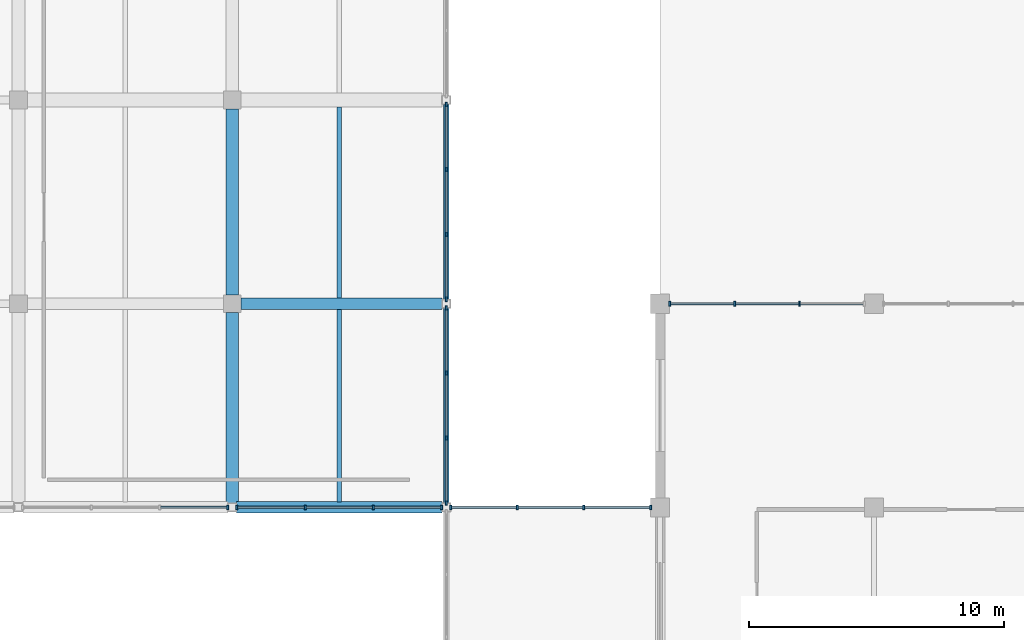
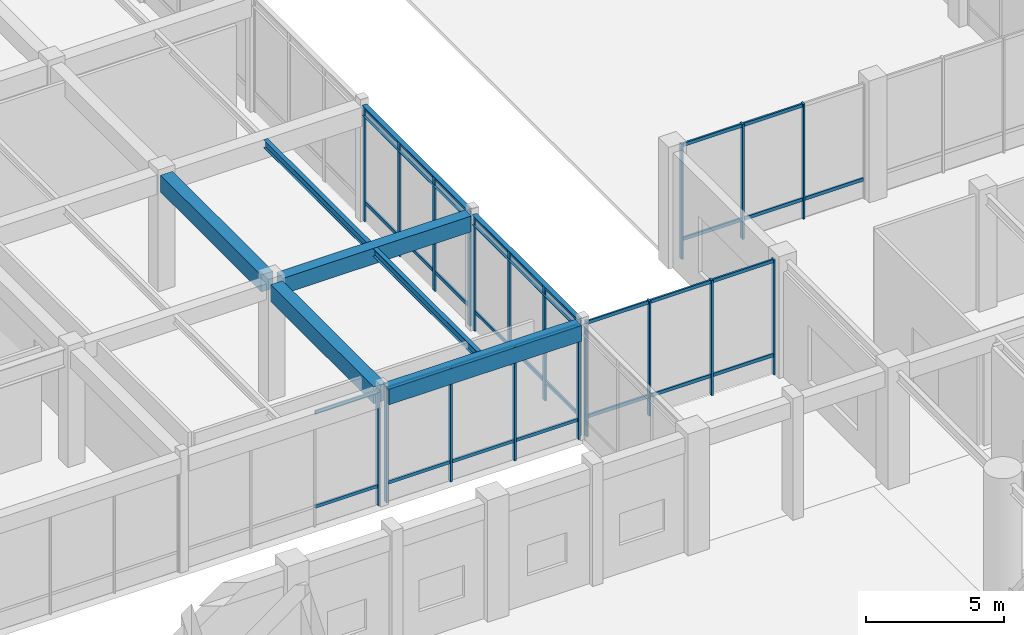
# One storey, part 33 of 79: 51 members, 8 beams, 6 elements without a shape of their own.
"""IFC4 building model written with IfcOpenShell, lengths in metres."""

from ifc_helpers import new_model, si_unit, direction, frame, origin, origin_2d, place, context, subcontext, project, spatial, rectangle, i_section, extrude, material, layer, layer_set, material_profile, profile_set, type_object, element, aggregate, save


model = new_model("IFC4")

# Units and contexts
model_context = context("Model", 3, precision=1e-05, world=origin(), true_north=direction((0.0, 1.0)))
body_context = subcontext(model_context, "Body", "Model", "MODEL_VIEW")
ifc_project = project(units=[si_unit("LENGTHUNIT", "METRE"), si_unit("AREAUNIT", "SQUARE_METRE"), si_unit("VOLUMEUNIT", "CUBIC_METRE"), si_unit("PLANEANGLEUNIT", "RADIAN"), si_unit("MASSUNIT", "GRAM", prefix="KILO")], contexts=[model_context])

# Site, building, storey
site_placement = place(None, origin())
site = spatial("IfcSite", under=ifc_project, at=site_placement, CompositionType="ELEMENT")
building_placement = place(site_placement, origin())
building = spatial("IfcBuilding", under=site, at=building_placement, Name="Naruveol Harbour Congress Hotel", CompositionType="ELEMENT")
storey_placement = place(building_placement, frame((0.0, 0.0, 6.0)))
storey = spatial("IfcBuildingStorey", under=building, at=storey_placement, Name="L01", CompositionType="ELEMENT", Elevation=6.0)

# Beams
ifc_material_1 = material(Name="Concrete C40/50", Category="concrete")
ifc_material_profile_1 = material_profile(ifc_material_1, rectangle(XDim=0.5, YDim=0.75, at=origin_2d()), Name="RCB-500x750")
ifc_profile_set_1 = profile_set([ifc_material_profile_1], Name="Concrete C40/50")
beam_type_1 = type_object("IfcBeamType", Name="RC FLOOR GIRDER 500X750", PredefinedType="BEAM", material=ifc_profile_set_1)
beam_1_placement = place(storey_placement, frame((33.60009765625, 64.1708984375, 4.764892578125), z_axis=(0.0, 1.0, 0.0), x_axis=(-1.0, 0.0, 0.0)))
element("IfcBeam", 1, at=beam_1_placement, inside=storey, type_object=beam_type_1, Name="Transverse girder L02 CB3", PredefinedType="BEAM", context=body_context, shape_type="SweptSolid", body=[
    extrude(rectangle(XDim=0.5, YDim=0.75, at=origin_2d()), origin(), (0.0, 0.0, 1.0), 7.483154296875),
])
beam_2_placement = place(storey_placement, frame((33.60009765625, 72.345947265625, 4.764892578125), z_axis=(0.0, 1.0, 0.0), x_axis=(-1.0, 0.0, 0.0)))
element("IfcBeam", 2, at=beam_2_placement, inside=storey, type_object=beam_type_1, Name="Transverse girder L02 CB3", PredefinedType="BEAM", context=body_context, shape_type="SweptSolid", body=[
    extrude(rectangle(XDim=0.5, YDim=0.75, at=origin_2d()), origin(), (0.0, 0.0, 1.0), 7.30810546875),
])
ifc_material_2 = material(Name="Concrete C40/50", Category="concrete")
ifc_material_profile_2 = material_profile(ifc_material_2, rectangle(XDim=0.449951171875, YDim=0.699951171875, at=origin_2d()), Name="RCB-450x700")
ifc_profile_set_2 = profile_set([ifc_material_profile_2], Name="Concrete C40/50")
beam_type_2 = type_object("IfcBeamType", Name="RC SPANDREL BEAM 450X700", PredefinedType="SPANDREL", material=ifc_profile_set_2)
beam_3_placement = place(storey_placement, frame((33.77099609375, 64.0, 4.7900390625), z_axis=(1.0, 0.0, 0.0), x_axis=(0.0, 1.0, 0.0)))
element("IfcBeam", 3, at=beam_3_placement, inside=storey, type_object=beam_type_2, Name="Floor girder L02 SPB1", PredefinedType="SPANDREL", context=body_context, shape_type="SweptSolid", body=[
    extrude(rectangle(XDim=0.449951171875, YDim=0.699951171875, at=origin_2d()), origin(), (0.0, 0.0, 1.0), 8.05810546875),
])
beam_4_placement = place(storey_placement, frame((33.946044921875, 72.0, 4.7900390625), z_axis=(1.0, 0.0, 0.0), x_axis=(0.0, 1.0, 0.0)))
element("IfcBeam", 4, at=beam_4_placement, inside=storey, type_object=beam_type_2, Name="Floor girder L02 SPB1", PredefinedType="SPANDREL", context=body_context, shape_type="SweptSolid", body=[
    extrude(rectangle(XDim=0.449951171875, YDim=0.699951171875, at=origin_2d()), origin(), (0.0, 0.0, 1.0), 7.883056640625),
])
ifc_material_3 = material(Name="Steel SN490", Category="steel")
ifc_material_profile_3 = material_profile(ifc_material_3, i_section(OverallWidth=0.175048828125, OverallDepth=0.35009765625, WebThickness=0.007080078125, FlangeThickness=0.010986328125, at=origin_2d()), Name="H-350x175x7x11")
ifc_profile_set_3 = profile_set([ifc_material_profile_3], Name="Steel SN490")
beam_type_3 = type_object("IfcBeamType", Name="STEEL SECONDARY JOIST H350", PredefinedType="JOIST", material=ifc_profile_set_3)
beam_5_placement = place(storey_placement, frame((37.800048828125, 64.220947265625, 4.965087890625), z_axis=(0.0, 1.0, 0.0), x_axis=(-1.0, 0.0, 0.0)))
element("IfcBeam", 5, at=beam_5_placement, inside=storey, type_object=beam_type_3, Name="Secondary floor joist L02 SJ2", PredefinedType="JOIST", context=body_context, shape_type="SweptSolid", body=[
    extrude(i_section(OverallWidth=0.175048828125, OverallDepth=0.35009765625, WebThickness=0.007080078125, FlangeThickness=0.010986328125, at=origin_2d()), origin(), (0.0, 0.0, 1.0), 7.55810546875),
])
beam_6_placement = place(storey_placement, frame((37.800048828125, 72.220947265625, 4.965087890625), z_axis=(0.0, 1.0, 0.0), x_axis=(-1.0, 0.0, 0.0)))
element("IfcBeam", 6, at=beam_6_placement, inside=storey, type_object=beam_type_3, Name="Secondary floor joist L02 SJ2", PredefinedType="JOIST", context=body_context, shape_type="SweptSolid", body=[
    extrude(i_section(OverallWidth=0.175048828125, OverallDepth=0.35009765625, WebThickness=0.007080078125, FlangeThickness=0.010986328125, at=origin_2d()), origin(), (0.0, 0.0, 1.0), 7.508056640625),
])
ifc_material_4 = material(Name="Steel SN490", Category="steel")
ifc_material_profile_4 = material_profile(ifc_material_4, i_section(OverallWidth=0.199951171875, OverallDepth=0.449951171875, WebThickness=0.009033203125, FlangeThickness=0.013916015625, at=origin_2d()), Name="H-450x200x9x14")
ifc_profile_set_4 = profile_set([ifc_material_profile_4], Name="Steel SN490")
beam_type_4 = type_object("IfcBeamType", Name="STEEL SPANDREL EDGE BEAM H450", PredefinedType="SPANDREL", material=ifc_profile_set_4)
for number, where, z_axis, x_axis, name in (
    (7, (42.0, 64.1708984375, 4.9150390625), (0.0, 1.0, 0.0), (-1.0, 0.0, 0.0), "Transverse girder L02 SPB2"),
    (8, (42.0, 72.1708984375, 4.9150390625), (0.0, 1.0, 0.0), (-1.0, 0.0, 0.0), "Transverse girder L02 SPB2"),
):
    element("IfcBeam", number, at=place(storey_placement, frame(where, z_axis=z_axis, x_axis=x_axis)), inside=storey, type_object=beam_type_4, Name=name, PredefinedType="SPANDREL", context=body_context, shape_type="SweptSolid", body=[
        extrude(i_section(OverallWidth=0.199951171875, OverallDepth=0.449951171875, WebThickness=0.009033203125, FlangeThickness=0.013916015625, at=origin_2d()), origin(), (0.0, 0.0, 1.0), 7.658203125),
    ])

# Curtain wall, members
ifc_material_5 = material(Name="Low-E Curtain Wall System", Category="glass")
ifc_layer_1 = layer(ifc_material_5, 0.179931640625)
ifc_layer_set_1 = layer_set([ifc_layer_1], Name="Low-E Curtain Wall System")
curtain_wall_type_1 = type_object("IfcCurtainWallType", Name="UNITISED CURTAIN WALL CW-SPLN-10 7850X5100", PredefinedType="USERDEFINED", material=ifc_layer_set_1)
curtain_wall_1_placement = place(storey_placement, origin())
curtain_wall_1 = element("IfcCurtainWall", 9, at=curtain_wall_1_placement, inside=storey, type_object=curtain_wall_type_1, Name="Unitised curtain wall CW-SPLN-10 L01", ObjectType="UNITISED GLAZING", PredefinedType="USERDEFINED")
ifc_material_6 = material(Name="Anodised Aluminium 6063-T6", Category="aluminium")
ifc_material_profile_5 = material_profile(ifc_material_6, rectangle(XDim=0.074951171875, YDim=0.179931640625, at=origin_2d()), Name="ALU-75x180")
ifc_profile_set_5 = profile_set([ifc_material_profile_5], Name="Anodised Aluminium 6063-T6")
member_type_1 = type_object("IfcMemberType", Name="THERMAL ALUMINIUM MULLION 75X180", PredefinedType="MULLION", material=ifc_profile_set_5)
member_1_placement = place(storey_placement, frame((42.175048828125, 64.0, 0.0), z_axis=(0.0, 0.0, 1.0), x_axis=(1.0, 0.0, 0.0)))
member_1 = element("IfcMember", 10, at=member_1_placement, type_object=member_type_1, Name="Curtain wall mullion CW-L01-0011-M0", PredefinedType="MULLION", context=body_context, shape_type="SweptSolid", body=[
    extrude(rectangle(XDim=0.074951171875, YDim=0.179931640625, at=origin_2d()), origin(), (0.0, 0.0, 1.0), 5.10009765625),
])
member_2_placement = place(storey_placement, frame((44.791748046875, 64.0, 0.0), z_axis=(0.0, 0.0, 1.0), x_axis=(1.0, 0.0, 0.0)))
member_2 = element("IfcMember", 11, at=member_2_placement, type_object=member_type_1, Name="Curtain wall mullion CW-L01-0011-M1", PredefinedType="MULLION", context=body_context, shape_type="SweptSolid", body=[
    extrude(rectangle(XDim=0.074951171875, YDim=0.179931640625, at=origin_2d()), origin(), (0.0, 0.0, 1.0), 5.10009765625),
])
member_3_placement = place(storey_placement, frame((47.408203125, 64.0, 0.0), z_axis=(0.0, 0.0, 1.0), x_axis=(1.0, 0.0, 0.0)))
member_3 = element("IfcMember", 12, at=member_3_placement, type_object=member_type_1, Name="Curtain wall mullion CW-L01-0011-M2", PredefinedType="MULLION", context=body_context, shape_type="SweptSolid", body=[
    extrude(rectangle(XDim=0.074951171875, YDim=0.179931640625, at=origin_2d()), origin(), (0.0, 0.0, 1.0), 5.10009765625),
])
member_4_placement = place(storey_placement, frame((50.02490234375, 64.0, 0.0), z_axis=(0.0, 0.0, 1.0), x_axis=(1.0, 0.0, 0.0)))
member_4 = element("IfcMember", 13, at=member_4_placement, type_object=member_type_1, Name="Curtain wall mullion CW-L01-0011-M3", PredefinedType="MULLION", context=body_context, shape_type="SweptSolid", body=[
    extrude(rectangle(XDim=0.074951171875, YDim=0.179931640625, at=origin_2d()), origin(), (0.0, 0.0, 1.0), 5.10009765625),
])

ifc_material_7 = material(Name="Low-E Curtain Wall System", Category="glass")
ifc_layer_2 = layer(ifc_material_7, 0.179931640625)
ifc_layer_set_2 = layer_set([ifc_layer_2], Name="Low-E Curtain Wall System")
curtain_wall_type_2 = type_object("IfcCurtainWallType", Name="UNITISED CURTAIN WALL CW-V3S-14 8050X5100", PredefinedType="USERDEFINED", material=ifc_layer_set_2)
curtain_wall_2_placement = place(storey_placement, origin())
curtain_wall_2 = element("IfcCurtainWall", 14, at=curtain_wall_2_placement, inside=storey, type_object=curtain_wall_type_2, Name="Unitised curtain wall CW-V3S-14 L01", ObjectType="UNITISED GLAZING", PredefinedType="USERDEFINED")
member_5_placement = place(storey_placement, frame((41.824951171875, 64.0, 0.0), z_axis=(0.0, 0.0, 1.0), x_axis=(1.0, 0.0, 0.0)))
member_5 = element("IfcMember", 15, at=member_5_placement, type_object=member_type_1, Name="Curtain wall mullion CW-L01-0022-M0", PredefinedType="MULLION", context=body_context, shape_type="SweptSolid", body=[
    extrude(rectangle(XDim=0.074951171875, YDim=0.179931640625, at=origin_2d()), origin(), (0.0, 0.0, 1.0), 5.10009765625),
])
member_6_placement = place(storey_placement, frame((39.1416015625, 64.0, 0.0), z_axis=(0.0, 0.0, 1.0), x_axis=(1.0, 0.0, 0.0)))
member_6 = element("IfcMember", 16, at=member_6_placement, type_object=member_type_1, Name="Curtain wall mullion CW-L01-0022-M1", PredefinedType="MULLION", context=body_context, shape_type="SweptSolid", body=[
    extrude(rectangle(XDim=0.074951171875, YDim=0.179931640625, at=origin_2d()), origin(), (0.0, 0.0, 1.0), 5.10009765625),
])
member_7_placement = place(storey_placement, frame((36.458251953125, 64.0, 0.0), z_axis=(0.0, 0.0, 1.0), x_axis=(1.0, 0.0, 0.0)))
member_7 = element("IfcMember", 17, at=member_7_placement, type_object=member_type_1, Name="Curtain wall mullion CW-L01-0022-M2", PredefinedType="MULLION", context=body_context, shape_type="SweptSolid", body=[
    extrude(rectangle(XDim=0.074951171875, YDim=0.179931640625, at=origin_2d()), origin(), (0.0, 0.0, 1.0), 5.10009765625),
])
member_8_placement = place(storey_placement, frame((33.77490234375, 64.0, 0.0), z_axis=(0.0, 0.0, 1.0), x_axis=(1.0, 0.0, 0.0)))
member_8 = element("IfcMember", 18, at=member_8_placement, type_object=member_type_1, Name="Curtain wall mullion CW-L01-0022-M3", PredefinedType="MULLION", context=body_context, shape_type="SweptSolid", body=[
    extrude(rectangle(XDim=0.074951171875, YDim=0.179931640625, at=origin_2d()), origin(), (0.0, 0.0, 1.0), 5.10009765625),
])

# Curtain wall, member
curtain_wall_3_placement = place(storey_placement, origin())
curtain_wall_3 = element("IfcCurtainWall", 19, at=curtain_wall_3_placement, inside=storey, type_object=curtain_wall_type_2, Name="Unitised curtain wall CW-V3S-14 L01", ObjectType="UNITISED GLAZING", PredefinedType="USERDEFINED")
member_9_placement = place(storey_placement, frame((33.425048828125, 64.0, 0.0), z_axis=(0.0, 0.0, 1.0), x_axis=(1.0, 0.0, 0.0)))
member_9 = element("IfcMember", 20, at=member_9_placement, type_object=member_type_1, Name="Curtain wall mullion CW-L01-0023-M0", PredefinedType="MULLION", context=body_context, shape_type="SweptSolid", body=[
    extrude(rectangle(XDim=0.074951171875, YDim=0.179931640625, at=origin_2d()), origin(), (0.0, 0.0, 1.0), 5.10009765625),
])

# Curtain wall, members
ifc_material_8 = material(Name="Low-E Curtain Wall System", Category="glass")
ifc_layer_3 = layer(ifc_material_8, 0.179931640625)
ifc_layer_set_3 = layer_set([ifc_layer_3], Name="Low-E Curtain Wall System")
curtain_wall_type_3 = type_object("IfcCurtainWallType", Name="UNITISED CURTAIN WALL CW-V3E-15 7650X5100", PredefinedType="USERDEFINED", material=ifc_layer_set_3)
curtain_wall_4_placement = place(storey_placement, origin())
curtain_wall_4 = element("IfcCurtainWall", 21, at=curtain_wall_4_placement, inside=storey, type_object=curtain_wall_type_3, Name="Unitised curtain wall CW-V3E-15 L01", ObjectType="UNITISED GLAZING", PredefinedType="USERDEFINED")
member_10_placement = place(storey_placement, frame((42.0, 71.824951171875, 0.0), z_axis=(0.0, 0.0, 1.0), x_axis=(1.0, 0.0, 0.0)))
member_10 = element("IfcMember", 22, at=member_10_placement, type_object=member_type_1, Name="Curtain wall mullion CW-L01-0027-M0", PredefinedType="MULLION", context=body_context, shape_type="SweptSolid", body=[
    extrude(rectangle(XDim=0.074951171875, YDim=0.179931640625, at=origin_2d()), origin(), (0.0, 0.0, 1.0), 5.10009765625),
])
member_11_placement = place(storey_placement, frame((42.0, 69.27490234375, 0.0), z_axis=(0.0, 0.0, 1.0), x_axis=(1.0, 0.0, 0.0)))
member_11 = element("IfcMember", 23, at=member_11_placement, type_object=member_type_1, Name="Curtain wall mullion CW-L01-0027-M1", PredefinedType="MULLION", context=body_context, shape_type="SweptSolid", body=[
    extrude(rectangle(XDim=0.074951171875, YDim=0.179931640625, at=origin_2d()), origin(), (0.0, 0.0, 1.0), 5.10009765625),
])
member_12_placement = place(storey_placement, frame((42.0, 66.72509765625, 0.0), z_axis=(0.0, 0.0, 1.0), x_axis=(1.0, 0.0, 0.0)))
member_12 = element("IfcMember", 24, at=member_12_placement, type_object=member_type_1, Name="Curtain wall mullion CW-L01-0027-M2", PredefinedType="MULLION", context=body_context, shape_type="SweptSolid", body=[
    extrude(rectangle(XDim=0.074951171875, YDim=0.179931640625, at=origin_2d()), origin(), (0.0, 0.0, 1.0), 5.10009765625),
])
member_13_placement = place(storey_placement, frame((42.0, 64.175048828125, 0.0), z_axis=(0.0, 0.0, 1.0), x_axis=(1.0, 0.0, 0.0)))
member_13 = element("IfcMember", 25, at=member_13_placement, type_object=member_type_1, Name="Curtain wall mullion CW-L01-0027-M3", PredefinedType="MULLION", context=body_context, shape_type="SweptSolid", body=[
    extrude(rectangle(XDim=0.074951171875, YDim=0.179931640625, at=origin_2d()), origin(), (0.0, 0.0, 1.0), 5.10009765625),
])

curtain_wall_5_placement = place(storey_placement, origin())
curtain_wall_5 = element("IfcCurtainWall", 26, at=curtain_wall_5_placement, inside=storey, type_object=curtain_wall_type_3, Name="Unitised curtain wall CW-V3E-15 L01", ObjectType="UNITISED GLAZING", PredefinedType="USERDEFINED")
member_14_placement = place(storey_placement, frame((42.0, 79.824951171875, 0.0), z_axis=(0.0, 0.0, 1.0), x_axis=(1.0, 0.0, 0.0)))
member_14 = element("IfcMember", 27, at=member_14_placement, type_object=member_type_1, Name="Curtain wall mullion CW-L01-0028-M0", PredefinedType="MULLION", context=body_context, shape_type="SweptSolid", body=[
    extrude(rectangle(XDim=0.074951171875, YDim=0.179931640625, at=origin_2d()), origin(), (0.0, 0.0, 1.0), 5.10009765625),
])
member_15_placement = place(storey_placement, frame((42.0, 77.27490234375, 0.0), z_axis=(0.0, 0.0, 1.0), x_axis=(1.0, 0.0, 0.0)))
member_15 = element("IfcMember", 28, at=member_15_placement, type_object=member_type_1, Name="Curtain wall mullion CW-L01-0028-M1", PredefinedType="MULLION", context=body_context, shape_type="SweptSolid", body=[
    extrude(rectangle(XDim=0.074951171875, YDim=0.179931640625, at=origin_2d()), origin(), (0.0, 0.0, 1.0), 5.10009765625),
])
member_16_placement = place(storey_placement, frame((42.0, 74.72509765625, 0.0), z_axis=(0.0, 0.0, 1.0), x_axis=(1.0, 0.0, 0.0)))
member_16 = element("IfcMember", 29, at=member_16_placement, type_object=member_type_1, Name="Curtain wall mullion CW-L01-0028-M2", PredefinedType="MULLION", context=body_context, shape_type="SweptSolid", body=[
    extrude(rectangle(XDim=0.074951171875, YDim=0.179931640625, at=origin_2d()), origin(), (0.0, 0.0, 1.0), 5.10009765625),
])
member_17_placement = place(storey_placement, frame((42.0, 72.175048828125, 0.0), z_axis=(0.0, 0.0, 1.0), x_axis=(1.0, 0.0, 0.0)))
member_17 = element("IfcMember", 30, at=member_17_placement, type_object=member_type_1, Name="Curtain wall mullion CW-L01-0028-M3", PredefinedType="MULLION", context=body_context, shape_type="SweptSolid", body=[
    extrude(rectangle(XDim=0.074951171875, YDim=0.179931640625, at=origin_2d()), origin(), (0.0, 0.0, 1.0), 5.10009765625),
])

ifc_material_9 = material(Name="Low-E Curtain Wall System", Category="glass")
ifc_layer_4 = layer(ifc_material_9, 0.179931640625)
ifc_layer_set_4 = layer_set([ifc_layer_4], Name="Low-E Curtain Wall System")
curtain_wall_type_4 = type_object("IfcCurtainWallType", Name="UNITISED CURTAIN WALL CW-V4NF-32 7650X5100", PredefinedType="USERDEFINED", material=ifc_layer_set_4)
curtain_wall_6_placement = place(storey_placement, origin())
curtain_wall_6 = element("IfcCurtainWall", 31, at=curtain_wall_6_placement, inside=storey, type_object=curtain_wall_type_4, Name="Unitised curtain wall CW-V4NF-32 L01", ObjectType="UNITISED GLAZING", PredefinedType="USERDEFINED")
member_18_placement = place(storey_placement, frame((50.77490234375, 72.0, 0.0), z_axis=(0.0, 0.0, 1.0), x_axis=(1.0, 0.0, 0.0)))
member_18 = element("IfcMember", 32, at=member_18_placement, type_object=member_type_1, Name="Curtain wall mullion CW-L01-0076-M0", PredefinedType="MULLION", context=body_context, shape_type="SweptSolid", body=[
    extrude(rectangle(XDim=0.074951171875, YDim=0.179931640625, at=origin_2d()), origin(), (0.0, 0.0, 1.0), 5.10009765625),
])
member_19_placement = place(storey_placement, frame((53.324951171875, 72.0, 0.0), z_axis=(0.0, 0.0, 1.0), x_axis=(1.0, 0.0, 0.0)))
member_19 = element("IfcMember", 33, at=member_19_placement, type_object=member_type_1, Name="Curtain wall mullion CW-L01-0076-M1", PredefinedType="MULLION", context=body_context, shape_type="SweptSolid", body=[
    extrude(rectangle(XDim=0.074951171875, YDim=0.179931640625, at=origin_2d()), origin(), (0.0, 0.0, 1.0), 5.10009765625),
])
member_20_placement = place(storey_placement, frame((55.875, 72.0, 0.0), z_axis=(0.0, 0.0, 1.0), x_axis=(1.0, 0.0, 0.0)))
member_20 = element("IfcMember", 34, at=member_20_placement, type_object=member_type_1, Name="Curtain wall mullion CW-L01-0076-M2", PredefinedType="MULLION", context=body_context, shape_type="SweptSolid", body=[
    extrude(rectangle(XDim=0.074951171875, YDim=0.179931640625, at=origin_2d()), origin(), (0.0, 0.0, 1.0), 5.10009765625),
])

# Member
ifc_material_10 = material(Name="Anodised Aluminium 6063-T6", Category="aluminium")
ifc_material_profile_6 = material_profile(ifc_material_10, rectangle(XDim=0.074951171875, YDim=0.14990234375, at=origin_2d()), Name="ALU-75x150")
ifc_profile_set_6 = profile_set([ifc_material_profile_6], Name="Anodised Aluminium 6063-T6")
member_type_2 = type_object("IfcMemberType", Name="THERMAL ALUMINIUM TRANSOM 75X150", PredefinedType="USERDEFINED", material=ifc_profile_set_6)
member_21_placement = place(storey_placement, frame((42.215087890625, 64.0, 0.85009765625), z_axis=(1.0, 0.0, 0.0), x_axis=(0.0, 1.0, 0.0)))
member_21 = element("IfcMember", 35, at=member_21_placement, type_object=member_type_2, Name="Curtain wall transom CW-L01-0011-T0.1", ObjectType="TRANSOM", PredefinedType="USERDEFINED", context=body_context, shape_type="SweptSolid", body=[
    extrude(rectangle(XDim=0.074951171875, YDim=0.14990234375, at=origin_2d()), origin(), (0.0, 0.0, 1.0), 2.53662109375),
])

member_22_placement = place(storey_placement, frame((42.215087890625, 64.0, 5.02001953125), z_axis=(1.0, 0.0, 0.0), x_axis=(0.0, 1.0, 0.0)))
member_22 = element("IfcMember", 36, at=member_22_placement, type_object=member_type_2, Name="Curtain wall transom CW-L01-0011-T0.2", ObjectType="TRANSOM", PredefinedType="USERDEFINED", context=body_context, shape_type="SweptSolid", body=[
    extrude(rectangle(XDim=0.074951171875, YDim=0.14990234375, at=origin_2d()), origin(), (0.0, 0.0, 1.0), 2.53662109375),
])

member_23_placement = place(storey_placement, frame((44.831787109375, 64.0, 0.85009765625), z_axis=(1.0, 0.0, 0.0), x_axis=(0.0, 1.0, 0.0)))
member_23 = element("IfcMember", 37, at=member_23_placement, type_object=member_type_2, Name="Curtain wall transom CW-L01-0011-T1.1", ObjectType="TRANSOM", PredefinedType="USERDEFINED", context=body_context, shape_type="SweptSolid", body=[
    extrude(rectangle(XDim=0.074951171875, YDim=0.14990234375, at=origin_2d()), origin(), (0.0, 0.0, 1.0), 2.53662109375),
])

member_24_placement = place(storey_placement, frame((44.831787109375, 64.0, 5.02001953125), z_axis=(1.0, 0.0, 0.0), x_axis=(0.0, 1.0, 0.0)))
member_24 = element("IfcMember", 38, at=member_24_placement, type_object=member_type_2, Name="Curtain wall transom CW-L01-0011-T1.2", ObjectType="TRANSOM", PredefinedType="USERDEFINED", context=body_context, shape_type="SweptSolid", body=[
    extrude(rectangle(XDim=0.074951171875, YDim=0.14990234375, at=origin_2d()), origin(), (0.0, 0.0, 1.0), 2.53662109375),
])

member_25_placement = place(storey_placement, frame((47.4482421875, 64.0, 0.85009765625), z_axis=(1.0, 0.0, 0.0), x_axis=(0.0, 1.0, 0.0)))
member_25 = element("IfcMember", 39, at=member_25_placement, type_object=member_type_2, Name="Curtain wall transom CW-L01-0011-T2.1", ObjectType="TRANSOM", PredefinedType="USERDEFINED", context=body_context, shape_type="SweptSolid", body=[
    extrude(rectangle(XDim=0.074951171875, YDim=0.14990234375, at=origin_2d()), origin(), (0.0, 0.0, 1.0), 2.536865234375),
])

member_26_placement = place(storey_placement, frame((47.4482421875, 64.0, 5.02001953125), z_axis=(1.0, 0.0, 0.0), x_axis=(0.0, 1.0, 0.0)))
member_26 = element("IfcMember", 40, at=member_26_placement, type_object=member_type_2, Name="Curtain wall transom CW-L01-0011-T2.2", ObjectType="TRANSOM", PredefinedType="USERDEFINED", context=body_context, shape_type="SweptSolid", body=[
    extrude(rectangle(XDim=0.074951171875, YDim=0.14990234375, at=origin_2d()), origin(), (0.0, 0.0, 1.0), 2.536865234375),
])

aggregate(curtain_wall_1, [member_1, member_2, member_3, member_4, member_21, member_22, member_23, member_24, member_25, member_26])

member_27_placement = place(storey_placement, frame((41.784912109375, 64.0, 0.85009765625), z_axis=(-1.0, 0.0, 0.0), x_axis=(0.0, -1.0, 0.0)))
member_27 = element("IfcMember", 41, at=member_27_placement, type_object=member_type_2, Name="Curtain wall transom CW-L01-0022-T0.1", ObjectType="TRANSOM", PredefinedType="USERDEFINED", context=body_context, shape_type="SweptSolid", body=[
    extrude(rectangle(XDim=0.074951171875, YDim=0.14990234375, at=origin_2d()), origin(), (0.0, 0.0, 1.0), 2.603271484375),
])

member_28_placement = place(storey_placement, frame((41.784912109375, 64.0, 5.02001953125), z_axis=(-1.0, 0.0, 0.0), x_axis=(0.0, -1.0, 0.0)))
member_28 = element("IfcMember", 42, at=member_28_placement, type_object=member_type_2, Name="Curtain wall transom CW-L01-0022-T0.2", ObjectType="TRANSOM", PredefinedType="USERDEFINED", context=body_context, shape_type="SweptSolid", body=[
    extrude(rectangle(XDim=0.074951171875, YDim=0.14990234375, at=origin_2d()), origin(), (0.0, 0.0, 1.0), 2.603271484375),
])

member_29_placement = place(storey_placement, frame((39.101806640625, 64.0, 0.85009765625), z_axis=(-1.0, 0.0, 0.0), x_axis=(0.0, -1.0, 0.0)))
member_29 = element("IfcMember", 43, at=member_29_placement, type_object=member_type_2, Name="Curtain wall transom CW-L01-0022-T1.1", ObjectType="TRANSOM", PredefinedType="USERDEFINED", context=body_context, shape_type="SweptSolid", body=[
    extrude(rectangle(XDim=0.074951171875, YDim=0.14990234375, at=origin_2d()), origin(), (0.0, 0.0, 1.0), 2.603515625),
])

member_30_placement = place(storey_placement, frame((39.101806640625, 64.0, 5.02001953125), z_axis=(-1.0, 0.0, 0.0), x_axis=(0.0, -1.0, 0.0)))
member_30 = element("IfcMember", 44, at=member_30_placement, type_object=member_type_2, Name="Curtain wall transom CW-L01-0022-T1.2", ObjectType="TRANSOM", PredefinedType="USERDEFINED", context=body_context, shape_type="SweptSolid", body=[
    extrude(rectangle(XDim=0.074951171875, YDim=0.14990234375, at=origin_2d()), origin(), (0.0, 0.0, 1.0), 2.603515625),
])

member_31_placement = place(storey_placement, frame((36.418212890625, 64.0, 0.85009765625), z_axis=(-1.0, 0.0, 0.0), x_axis=(0.0, -1.0, 0.0)))
member_31 = element("IfcMember", 45, at=member_31_placement, type_object=member_type_2, Name="Curtain wall transom CW-L01-0022-T2.1", ObjectType="TRANSOM", PredefinedType="USERDEFINED", context=body_context, shape_type="SweptSolid", body=[
    extrude(rectangle(XDim=0.074951171875, YDim=0.14990234375, at=origin_2d()), origin(), (0.0, 0.0, 1.0), 2.603271484375),
])

member_32_placement = place(storey_placement, frame((36.418212890625, 64.0, 5.02001953125), z_axis=(-1.0, 0.0, 0.0), x_axis=(0.0, -1.0, 0.0)))
member_32 = element("IfcMember", 46, at=member_32_placement, type_object=member_type_2, Name="Curtain wall transom CW-L01-0022-T2.2", ObjectType="TRANSOM", PredefinedType="USERDEFINED", context=body_context, shape_type="SweptSolid", body=[
    extrude(rectangle(XDim=0.074951171875, YDim=0.14990234375, at=origin_2d()), origin(), (0.0, 0.0, 1.0), 2.603271484375),
])

aggregate(curtain_wall_2, [member_5, member_6, member_7, member_8, member_27, member_28, member_29, member_30, member_31, member_32])

member_33_placement = place(storey_placement, frame((33.385009765625, 64.0, 0.85009765625), z_axis=(-1.0, 0.0, 0.0), x_axis=(0.0, -1.0, 0.0)))
member_33 = element("IfcMember", 47, at=member_33_placement, type_object=member_type_2, Name="Curtain wall transom CW-L01-0023-T0.1", ObjectType="TRANSOM", PredefinedType="USERDEFINED", context=body_context, shape_type="SweptSolid", body=[
    extrude(rectangle(XDim=0.074951171875, YDim=0.14990234375, at=origin_2d()), origin(), (0.0, 0.0, 1.0), 2.603271484375),
])

member_34_placement = place(storey_placement, frame((33.385009765625, 64.0, 5.02001953125), z_axis=(-1.0, 0.0, 0.0), x_axis=(0.0, -1.0, 0.0)))
member_34 = element("IfcMember", 48, at=member_34_placement, type_object=member_type_2, Name="Curtain wall transom CW-L01-0023-T0.2", ObjectType="TRANSOM", PredefinedType="USERDEFINED", context=body_context, shape_type="SweptSolid", body=[
    extrude(rectangle(XDim=0.074951171875, YDim=0.14990234375, at=origin_2d()), origin(), (0.0, 0.0, 1.0), 2.603271484375),
])

aggregate(curtain_wall_3, [member_9, member_33, member_34])

member_35_placement = place(storey_placement, frame((42.0, 71.784912109375, 0.85009765625), z_axis=(0.0, -1.0, 0.0), x_axis=(1.0, 0.0, 0.0)))
member_35 = element("IfcMember", 49, at=member_35_placement, type_object=member_type_2, Name="Curtain wall transom CW-L01-0027-T0.1", ObjectType="TRANSOM", PredefinedType="USERDEFINED", context=body_context, shape_type="SweptSolid", body=[
    extrude(rectangle(XDim=0.074951171875, YDim=0.14990234375, at=origin_2d()), origin(), (0.0, 0.0, 1.0), 2.469970703125),
])

member_36_placement = place(storey_placement, frame((42.0, 71.784912109375, 5.02001953125), z_axis=(0.0, -1.0, 0.0), x_axis=(1.0, 0.0, 0.0)))
member_36 = element("IfcMember", 50, at=member_36_placement, type_object=member_type_2, Name="Curtain wall transom CW-L01-0027-T0.2", ObjectType="TRANSOM", PredefinedType="USERDEFINED", context=body_context, shape_type="SweptSolid", body=[
    extrude(rectangle(XDim=0.074951171875, YDim=0.14990234375, at=origin_2d()), origin(), (0.0, 0.0, 1.0), 2.469970703125),
])

member_37_placement = place(storey_placement, frame((42.0, 69.235107421875, 0.85009765625), z_axis=(0.0, -1.0, 0.0), x_axis=(1.0, 0.0, 0.0)))
member_37 = element("IfcMember", 51, at=member_37_placement, type_object=member_type_2, Name="Curtain wall transom CW-L01-0027-T1.1", ObjectType="TRANSOM", PredefinedType="USERDEFINED", context=body_context, shape_type="SweptSolid", body=[
    extrude(rectangle(XDim=0.074951171875, YDim=0.14990234375, at=origin_2d()), origin(), (0.0, 0.0, 1.0), 2.47021484375),
])

member_38_placement = place(storey_placement, frame((42.0, 69.235107421875, 5.02001953125), z_axis=(0.0, -1.0, 0.0), x_axis=(1.0, 0.0, 0.0)))
member_38 = element("IfcMember", 52, at=member_38_placement, type_object=member_type_2, Name="Curtain wall transom CW-L01-0027-T1.2", ObjectType="TRANSOM", PredefinedType="USERDEFINED", context=body_context, shape_type="SweptSolid", body=[
    extrude(rectangle(XDim=0.074951171875, YDim=0.14990234375, at=origin_2d()), origin(), (0.0, 0.0, 1.0), 2.47021484375),
])

member_39_placement = place(storey_placement, frame((42.0, 66.68505859375, 0.85009765625), z_axis=(0.0, -1.0, 0.0), x_axis=(1.0, 0.0, 0.0)))
member_39 = element("IfcMember", 53, at=member_39_placement, type_object=member_type_2, Name="Curtain wall transom CW-L01-0027-T2.1", ObjectType="TRANSOM", PredefinedType="USERDEFINED", context=body_context, shape_type="SweptSolid", body=[
    extrude(rectangle(XDim=0.074951171875, YDim=0.14990234375, at=origin_2d()), origin(), (0.0, 0.0, 1.0), 2.469970703125),
])

member_40_placement = place(storey_placement, frame((42.0, 66.68505859375, 5.02001953125), z_axis=(0.0, -1.0, 0.0), x_axis=(1.0, 0.0, 0.0)))
member_40 = element("IfcMember", 54, at=member_40_placement, type_object=member_type_2, Name="Curtain wall transom CW-L01-0027-T2.2", ObjectType="TRANSOM", PredefinedType="USERDEFINED", context=body_context, shape_type="SweptSolid", body=[
    extrude(rectangle(XDim=0.074951171875, YDim=0.14990234375, at=origin_2d()), origin(), (0.0, 0.0, 1.0), 2.469970703125),
])

aggregate(curtain_wall_4, [member_10, member_11, member_12, member_13, member_35, member_36, member_37, member_38, member_39, member_40])

member_41_placement = place(storey_placement, frame((42.0, 79.784912109375, 0.85009765625), z_axis=(0.0, -1.0, 0.0), x_axis=(1.0, 0.0, 0.0)))
member_41 = element("IfcMember", 55, at=member_41_placement, type_object=member_type_2, Name="Curtain wall transom CW-L01-0028-T0.1", ObjectType="TRANSOM", PredefinedType="USERDEFINED", context=body_context, shape_type="SweptSolid", body=[
    extrude(rectangle(XDim=0.074951171875, YDim=0.14990234375, at=origin_2d()), origin(), (0.0, 0.0, 1.0), 2.469970703125),
])

member_42_placement = place(storey_placement, frame((42.0, 79.784912109375, 5.02001953125), z_axis=(0.0, -1.0, 0.0), x_axis=(1.0, 0.0, 0.0)))
member_42 = element("IfcMember", 56, at=member_42_placement, type_object=member_type_2, Name="Curtain wall transom CW-L01-0028-T0.2", ObjectType="TRANSOM", PredefinedType="USERDEFINED", context=body_context, shape_type="SweptSolid", body=[
    extrude(rectangle(XDim=0.074951171875, YDim=0.14990234375, at=origin_2d()), origin(), (0.0, 0.0, 1.0), 2.469970703125),
])

member_43_placement = place(storey_placement, frame((42.0, 77.235107421875, 0.85009765625), z_axis=(0.0, -1.0, 0.0), x_axis=(1.0, 0.0, 0.0)))
member_43 = element("IfcMember", 57, at=member_43_placement, type_object=member_type_2, Name="Curtain wall transom CW-L01-0028-T1.1", ObjectType="TRANSOM", PredefinedType="USERDEFINED", context=body_context, shape_type="SweptSolid", body=[
    extrude(rectangle(XDim=0.074951171875, YDim=0.14990234375, at=origin_2d()), origin(), (0.0, 0.0, 1.0), 2.47021484375),
])

member_44_placement = place(storey_placement, frame((42.0, 77.235107421875, 5.02001953125), z_axis=(0.0, -1.0, 0.0), x_axis=(1.0, 0.0, 0.0)))
member_44 = element("IfcMember", 58, at=member_44_placement, type_object=member_type_2, Name="Curtain wall transom CW-L01-0028-T1.2", ObjectType="TRANSOM", PredefinedType="USERDEFINED", context=body_context, shape_type="SweptSolid", body=[
    extrude(rectangle(XDim=0.074951171875, YDim=0.14990234375, at=origin_2d()), origin(), (0.0, 0.0, 1.0), 2.47021484375),
])

member_45_placement = place(storey_placement, frame((42.0, 74.68505859375, 0.85009765625), z_axis=(0.0, -1.0, 0.0), x_axis=(1.0, 0.0, 0.0)))
member_45 = element("IfcMember", 59, at=member_45_placement, type_object=member_type_2, Name="Curtain wall transom CW-L01-0028-T2.1", ObjectType="TRANSOM", PredefinedType="USERDEFINED", context=body_context, shape_type="SweptSolid", body=[
    extrude(rectangle(XDim=0.074951171875, YDim=0.14990234375, at=origin_2d()), origin(), (0.0, 0.0, 1.0), 2.469970703125),
])

member_46_placement = place(storey_placement, frame((42.0, 74.68505859375, 5.02001953125), z_axis=(0.0, -1.0, 0.0), x_axis=(1.0, 0.0, 0.0)))
member_46 = element("IfcMember", 60, at=member_46_placement, type_object=member_type_2, Name="Curtain wall transom CW-L01-0028-T2.2", ObjectType="TRANSOM", PredefinedType="USERDEFINED", context=body_context, shape_type="SweptSolid", body=[
    extrude(rectangle(XDim=0.074951171875, YDim=0.14990234375, at=origin_2d()), origin(), (0.0, 0.0, 1.0), 2.469970703125),
])

aggregate(curtain_wall_5, [member_14, member_15, member_16, member_17, member_41, member_42, member_43, member_44, member_45, member_46])

member_47_placement = place(storey_placement, frame((50.81494140625, 72.0, 0.85009765625), z_axis=(1.0, 0.0, 0.0), x_axis=(0.0, 1.0, 0.0)))
member_47 = element("IfcMember", 61, at=member_47_placement, type_object=member_type_2, Name="Curtain wall transom CW-L01-0076-T0.1", ObjectType="TRANSOM", PredefinedType="USERDEFINED", context=body_context, shape_type="SweptSolid", body=[
    extrude(rectangle(XDim=0.074951171875, YDim=0.14990234375, at=origin_2d()), origin(), (0.0, 0.0, 1.0), 2.469970703125),
])

member_48_placement = place(storey_placement, frame((50.81494140625, 72.0, 5.02001953125), z_axis=(1.0, 0.0, 0.0), x_axis=(0.0, 1.0, 0.0)))
member_48 = element("IfcMember", 62, at=member_48_placement, type_object=member_type_2, Name="Curtain wall transom CW-L01-0076-T0.2", ObjectType="TRANSOM", PredefinedType="USERDEFINED", context=body_context, shape_type="SweptSolid", body=[
    extrude(rectangle(XDim=0.074951171875, YDim=0.14990234375, at=origin_2d()), origin(), (0.0, 0.0, 1.0), 2.469970703125),
])

member_49_placement = place(storey_placement, frame((53.364990234375, 72.0, 0.85009765625), z_axis=(1.0, 0.0, 0.0), x_axis=(0.0, 1.0, 0.0)))
member_49 = element("IfcMember", 63, at=member_49_placement, type_object=member_type_2, Name="Curtain wall transom CW-L01-0076-T1.1", ObjectType="TRANSOM", PredefinedType="USERDEFINED", context=body_context, shape_type="SweptSolid", body=[
    extrude(rectangle(XDim=0.074951171875, YDim=0.14990234375, at=origin_2d()), origin(), (0.0, 0.0, 1.0), 2.469970703125),
])

member_50_placement = place(storey_placement, frame((53.364990234375, 72.0, 5.02001953125), z_axis=(1.0, 0.0, 0.0), x_axis=(0.0, 1.0, 0.0)))
member_50 = element("IfcMember", 64, at=member_50_placement, type_object=member_type_2, Name="Curtain wall transom CW-L01-0076-T1.2", ObjectType="TRANSOM", PredefinedType="USERDEFINED", context=body_context, shape_type="SweptSolid", body=[
    extrude(rectangle(XDim=0.074951171875, YDim=0.14990234375, at=origin_2d()), origin(), (0.0, 0.0, 1.0), 2.469970703125),
])

member_51_placement = place(storey_placement, frame((55.9150390625, 72.0, 0.85009765625), z_axis=(1.0, 0.0, 0.0), x_axis=(0.0, 1.0, 0.0)))
member_51 = element("IfcMember", 65, at=member_51_placement, type_object=member_type_2, Name="Curtain wall transom CW-L01-0076-T2.1", ObjectType="TRANSOM", PredefinedType="USERDEFINED", context=body_context, shape_type="SweptSolid", body=[
    extrude(rectangle(XDim=0.074951171875, YDim=0.14990234375, at=origin_2d()), origin(), (0.0, 0.0, 1.0), 2.469970703125),
])

aggregate(curtain_wall_6, [member_18, member_19, member_20, member_47, member_48, member_49, member_50, member_51])

save(model, "model.ifc")
